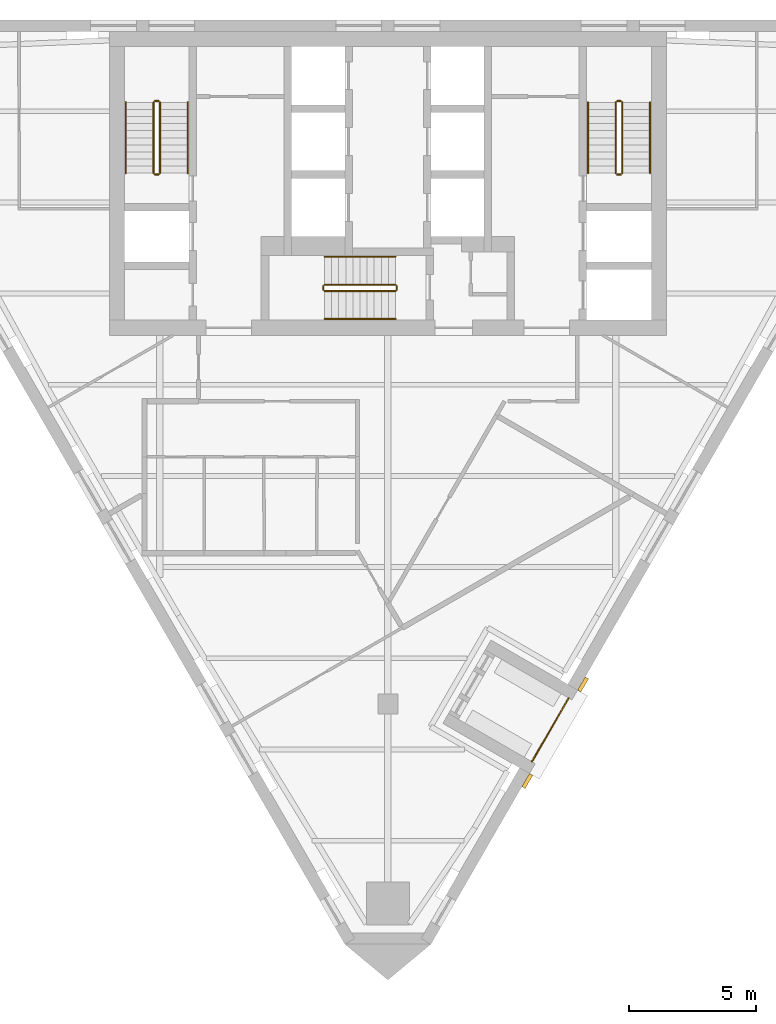
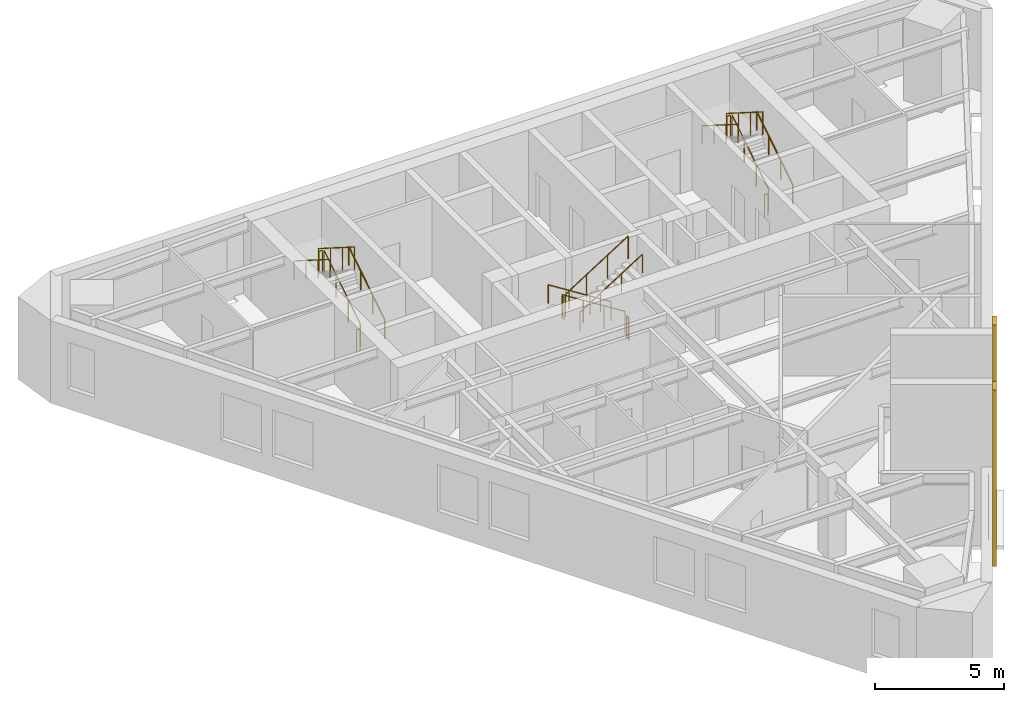
# One storey, part 7 of 7: 19 railings, 2 coverings.
"""IFC4 building model written with IfcOpenShell, lengths in metres."""

from ifc_helpers import new_model, si_unit, direction, frame, origin, origin_2d, place, context, subcontext, project, spatial, polyline, circle, outline, extrude, material, layer, layer_set, type_object, element, save


model = new_model("IFC4")

# Units and contexts
model_context = context("Model", 3, precision=1e-05, world=origin(), true_north=direction((0.0, 1.0)))
body_context = subcontext(model_context, "Body", "Model", "MODEL_VIEW")
ifc_project = project(units=[si_unit("LENGTHUNIT", "METRE"), si_unit("AREAUNIT", "SQUARE_METRE"), si_unit("VOLUMEUNIT", "CUBIC_METRE"), si_unit("PLANEANGLEUNIT", "RADIAN"), si_unit("MASSUNIT", "GRAM", prefix="KILO")], contexts=[model_context])

# Site, building, storey
site_placement = place(None, origin())
site = spatial("IfcSite", under=ifc_project, at=site_placement, CompositionType="ELEMENT")
building_placement = place(site_placement, origin())
building = spatial("IfcBuilding", under=site, at=building_placement, Name="Aloe Facet Convention Tower", CompositionType="ELEMENT")
storey_placement = place(building_placement, frame((0.0, 0.0, 215.300048828125)))
storey = spatial("IfcBuildingStorey", under=building, at=storey_placement, Name="L54", CompositionType="ELEMENT", Elevation=215.300048828125)

# Railings
ifc_material_1 = material(Name="Steel S355 balustrade", Category="steel")
railing_type_1 = type_object("IfcRailingType", Name="CR-RL-GUARD", PredefinedType="GUARDRAIL", material=ifc_material_1)
railing_1_placement = place(storey_placement, frame((71.0, 128.949951171875, 0.17724609375)))
element("IfcRailing", 1, at=railing_1_placement, inside=storey, type_object=railing_type_1, Name="L54 ST1 stair guard 1", PredefinedType="GUARDRAIL", context=body_context, shape_type="SweptSolid", body=[
    extrude(circle(Radius=0.02392578125, at=origin_2d()), frame((0.0, 0.0, 1.076171875), z_axis=(0.0, 0.844908973607, 0.534910110503), x_axis=(-1.0, 0.0, 0.0)), (0.0, 0.0, 1.0), 3.31396484375),
    extrude(circle(Radius=0.02099609375, at=origin_2d()), origin(), (0.0, 0.0, 1.0), 1.052001953125),
    extrude(circle(Radius=0.02099609375, at=origin_2d()), frame((0.0, 0.933349609375, 0.5908203125)), (0.0, 0.0, 1.0), 1.052001953125),
    extrude(circle(Radius=0.02099609375, at=origin_2d()), frame((0.0, 1.86669921875, 1.181884765625)), (0.0, 0.0, 1.0), 1.052001953125),
    extrude(circle(Radius=0.02099609375, at=origin_2d()), frame((0.0, 2.800048828125, 1.772705078125)), (0.0, 0.0, 1.0), 1.052001953125),
])
railing_2_placement = place(storey_placement, frame((70.949951171875, 131.800048828125, 1.949951171875)))
element("IfcRailing", 2, at=railing_2_placement, inside=storey, type_object=railing_type_1, Name="L54 ST1 stair guard 2", PredefinedType="GUARDRAIL", context=body_context, shape_type="SweptSolid", body=[
    extrude(circle(Radius=0.02392578125, at=origin_2d()), frame((0.0, 0.0, 1.076171875), z_axis=(-1.0, 0.0, 0.0), x_axis=(0.0, -1.0, 0.0)), (0.0, 0.0, 1.0), 0.14990234375),
    extrude(circle(Radius=0.02099609375, at=origin_2d()), origin(), (0.0, 0.0, 1.0), 1.052001953125),
    extrude(circle(Radius=0.02099609375, at=origin_2d()), frame((-0.14990234375, 0.0, 0.0)), (0.0, 0.0, 1.0), 1.052001953125),
])
railing_3_placement = place(storey_placement, frame((70.75, 131.75, 2.127197265625)))
element("IfcRailing", 3, at=railing_3_placement, inside=storey, type_object=railing_type_1, Name="L54 ST1 stair guard 3", PredefinedType="GUARDRAIL", context=body_context, shape_type="SweptSolid", body=[
    extrude(circle(Radius=0.02392578125, at=origin_2d()), frame((0.0, 0.0, 1.076171875), z_axis=(0.0, -0.844908973607, 0.534910110503), x_axis=(1.0, 0.0, 0.0)), (0.0, 0.0, 1.0), 3.31396484375),
    extrude(circle(Radius=0.02099609375, at=origin_2d()), origin(), (0.0, 0.0, 1.0), 1.052001953125),
    extrude(circle(Radius=0.02099609375, at=origin_2d()), frame((0.0, -0.933349609375, 0.5908203125)), (0.0, 0.0, 1.0), 1.052001953125),
    extrude(circle(Radius=0.02099609375, at=origin_2d()), frame((0.0, -1.86669921875, 1.181884765625)), (0.0, 0.0, 1.0), 1.052001953125),
    extrude(circle(Radius=0.02099609375, at=origin_2d()), frame((0.0, -2.800048828125, 1.772705078125)), (0.0, 0.0, 1.0), 1.052001953125),
])
railing_4_placement = place(storey_placement, frame((70.949951171875, 128.89990234375, 0.0)))
element("IfcRailing", 4, at=railing_4_placement, inside=storey, type_object=railing_type_1, Name="L54 ST1 stair guard 4", PredefinedType="GUARDRAIL", context=body_context, shape_type="SweptSolid", body=[
    extrude(circle(Radius=0.02392578125, at=origin_2d()), frame((0.0, 0.0, 1.076171875), z_axis=(-1.0, 0.0, 0.0), x_axis=(0.0, -1.0, 0.0)), (0.0, 0.0, 1.0), 0.14990234375),
    extrude(circle(Radius=0.02099609375, at=origin_2d()), origin(), (0.0, 0.0, 1.0), 1.052001953125),
    extrude(circle(Radius=0.02099609375, at=origin_2d()), frame((-0.14990234375, 0.0, 0.0)), (0.0, 0.0, 1.0), 1.052001953125),
])
railing_5_placement = place(storey_placement, frame((89.25, 128.949951171875, 0.17724609375)))
element("IfcRailing", 5, at=railing_5_placement, inside=storey, type_object=railing_type_1, Name="L54 ST2 stair guard 1", PredefinedType="GUARDRAIL", context=body_context, shape_type="SweptSolid", body=[
    extrude(circle(Radius=0.02392578125, at=origin_2d()), frame((0.0, 0.0, 1.076171875), z_axis=(0.0, 0.844908973607, 0.534910110503), x_axis=(-1.0, 0.0, 0.0)), (0.0, 0.0, 1.0), 3.31396484375),
    extrude(circle(Radius=0.02099609375, at=origin_2d()), origin(), (0.0, 0.0, 1.0), 1.052001953125),
    extrude(circle(Radius=0.02099609375, at=origin_2d()), frame((0.0, 0.933349609375, 0.5908203125)), (0.0, 0.0, 1.0), 1.052001953125),
    extrude(circle(Radius=0.02099609375, at=origin_2d()), frame((0.0, 1.86669921875, 1.181884765625)), (0.0, 0.0, 1.0), 1.052001953125),
    extrude(circle(Radius=0.02099609375, at=origin_2d()), frame((0.0, 2.800048828125, 1.772705078125)), (0.0, 0.0, 1.0), 1.052001953125),
])
railing_6_placement = place(storey_placement, frame((89.199951171875, 131.800048828125, 1.949951171875)))
element("IfcRailing", 6, at=railing_6_placement, inside=storey, type_object=railing_type_1, Name="L54 ST2 stair guard 2", PredefinedType="GUARDRAIL", context=body_context, shape_type="SweptSolid", body=[
    extrude(circle(Radius=0.02392578125, at=origin_2d()), frame((0.0, 0.0, 1.076171875), z_axis=(-1.0, 0.0, 0.0), x_axis=(0.0, -1.0, 0.0)), (0.0, 0.0, 1.0), 0.14990234375),
    extrude(circle(Radius=0.02099609375, at=origin_2d()), origin(), (0.0, 0.0, 1.0), 1.052001953125),
    extrude(circle(Radius=0.02099609375, at=origin_2d()), frame((-0.14990234375, 0.0, 0.0)), (0.0, 0.0, 1.0), 1.052001953125),
])
railing_7_placement = place(storey_placement, frame((89.0, 131.75, 2.127197265625)))
element("IfcRailing", 7, at=railing_7_placement, inside=storey, type_object=railing_type_1, Name="L54 ST2 stair guard 3", PredefinedType="GUARDRAIL", context=body_context, shape_type="SweptSolid", body=[
    extrude(circle(Radius=0.02392578125, at=origin_2d()), frame((0.0, 0.0, 1.076171875), z_axis=(0.0, -0.844908973607, 0.534910110503), x_axis=(1.0, 0.0, 0.0)), (0.0, 0.0, 1.0), 3.31396484375),
    extrude(circle(Radius=0.02099609375, at=origin_2d()), origin(), (0.0, 0.0, 1.0), 1.052001953125),
    extrude(circle(Radius=0.02099609375, at=origin_2d()), frame((0.0, -0.933349609375, 0.5908203125)), (0.0, 0.0, 1.0), 1.052001953125),
    extrude(circle(Radius=0.02099609375, at=origin_2d()), frame((0.0, -1.86669921875, 1.181884765625)), (0.0, 0.0, 1.0), 1.052001953125),
    extrude(circle(Radius=0.02099609375, at=origin_2d()), frame((0.0, -2.800048828125, 1.772705078125)), (0.0, 0.0, 1.0), 1.052001953125),
])
railing_8_placement = place(storey_placement, frame((89.199951171875, 128.89990234375, 0.0)))
element("IfcRailing", 8, at=railing_8_placement, inside=storey, type_object=railing_type_1, Name="L54 ST2 stair guard 4", PredefinedType="GUARDRAIL", context=body_context, shape_type="SweptSolid", body=[
    extrude(circle(Radius=0.02392578125, at=origin_2d()), frame((0.0, 0.0, 1.076171875), z_axis=(-1.0, 0.0, 0.0), x_axis=(0.0, -1.0, 0.0)), (0.0, 0.0, 1.0), 0.14990234375),
    extrude(circle(Radius=0.02099609375, at=origin_2d()), origin(), (0.0, 0.0, 1.0), 1.052001953125),
    extrude(circle(Radius=0.02099609375, at=origin_2d()), frame((-0.14990234375, 0.0, 0.0)), (0.0, 0.0, 1.0), 1.052001953125),
])
railing_9_placement = place(storey_placement, frame((80.300048828125, 124.550048828125, 0.17724609375)))
element("IfcRailing", 9, at=railing_9_placement, inside=storey, type_object=railing_type_1, Name="L54 ST3 stair guard 1", PredefinedType="GUARDRAIL", context=body_context, shape_type="SweptSolid", body=[
    extrude(circle(Radius=0.02392578125, at=origin_2d()), frame((0.0, 0.0, 1.076171875), z_axis=(-0.844908973607, 0.0, 0.534910110503), x_axis=(0.0, -1.0, 0.0)), (0.0, 0.0, 1.0), 3.31396484375),
    extrude(circle(Radius=0.02099609375, at=origin_2d()), origin(), (0.0, 0.0, 1.0), 1.052001953125),
    extrude(circle(Radius=0.02099609375, at=origin_2d()), frame((-0.933349609375, 0.0, 0.5908203125)), (0.0, 0.0, 1.0), 1.052001953125),
    extrude(circle(Radius=0.02099609375, at=origin_2d()), frame((-1.86669921875, 0.0, 1.181884765625)), (0.0, 0.0, 1.0), 1.052001953125),
    extrude(circle(Radius=0.02099609375, at=origin_2d()), frame((-2.800048828125, 0.0, 1.772705078125)), (0.0, 0.0, 1.0), 1.052001953125),
])
railing_10_placement = place(storey_placement, frame((77.449951171875, 124.5, 1.949951171875)))
element("IfcRailing", 10, at=railing_10_placement, inside=storey, type_object=railing_type_1, Name="L54 ST3 stair guard 2", PredefinedType="GUARDRAIL", context=body_context, shape_type="SweptSolid", body=[
    extrude(circle(Radius=0.02392578125, at=origin_2d()), frame((0.0, 0.0, 1.076171875), z_axis=(0.0, -1.0, 0.0), x_axis=(1.0, 0.0, 0.0)), (0.0, 0.0, 1.0), 0.14990234375),
    extrude(circle(Radius=0.02099609375, at=origin_2d()), origin(), (0.0, 0.0, 1.0), 1.052001953125),
    extrude(circle(Radius=0.02099609375, at=origin_2d()), frame((0.0, -0.14990234375, 0.0)), (0.0, 0.0, 1.0), 1.052001953125),
])
railing_11_placement = place(storey_placement, frame((77.5, 124.300048828125, 2.127197265625)))
element("IfcRailing", 11, at=railing_11_placement, inside=storey, type_object=railing_type_1, Name="L54 ST3 stair guard 3", PredefinedType="GUARDRAIL", context=body_context, shape_type="SweptSolid", body=[
    extrude(circle(Radius=0.02392578125, at=origin_2d()), frame((0.0, 0.0, 1.076171875), z_axis=(0.844908973607, 0.0, 0.534910110503), x_axis=(0.0, 1.0, 0.0)), (0.0, 0.0, 1.0), 3.31396484375),
    extrude(circle(Radius=0.02099609375, at=origin_2d()), origin(), (0.0, 0.0, 1.0), 1.052001953125),
    extrude(circle(Radius=0.02099609375, at=origin_2d()), frame((0.933349609375, 0.0, 0.5908203125)), (0.0, 0.0, 1.0), 1.052001953125),
    extrude(circle(Radius=0.02099609375, at=origin_2d()), frame((1.86669921875, 0.0, 1.181884765625)), (0.0, 0.0, 1.0), 1.052001953125),
    extrude(circle(Radius=0.02099609375, at=origin_2d()), frame((2.800048828125, 0.0, 1.772705078125)), (0.0, 0.0, 1.0), 1.052001953125),
])
railing_12_placement = place(storey_placement, frame((80.35009765625, 124.5, 0.0)))
element("IfcRailing", 12, at=railing_12_placement, inside=storey, type_object=railing_type_1, Name="L54 ST3 stair guard 4", PredefinedType="GUARDRAIL", context=body_context, shape_type="SweptSolid", body=[
    extrude(circle(Radius=0.02392578125, at=origin_2d()), frame((0.0, 0.0, 1.076171875), z_axis=(0.0, -1.0, 0.0), x_axis=(1.0, 0.0, 0.0)), (0.0, 0.0, 1.0), 0.14990234375),
    extrude(circle(Radius=0.02099609375, at=origin_2d()), origin(), (0.0, 0.0, 1.0), 1.052001953125),
    extrude(circle(Radius=0.02099609375, at=origin_2d()), frame((0.0, -0.14990234375, 0.0)), (0.0, 0.0, 1.0), 1.052001953125),
])
ifc_material_2 = material(Name="Steel S355 handrail", Category="steel")
railing_type_2 = type_object("IfcRailingType", Name="CR-RL-HAND", PredefinedType="HANDRAIL", material=ifc_material_2)
railing_13_placement = place(storey_placement, frame((72.10009765625, 128.949951171875, 0.17724609375)))
element("IfcRailing", 13, at=railing_13_placement, inside=storey, type_object=railing_type_2, Name="L54 ST1 stair handrail 1", PredefinedType="HANDRAIL", context=body_context, shape_type="SweptSolid", body=[
    extrude(circle(Radius=0.02392578125, at=origin_2d()), frame((0.0, 0.0, 0.8759765625), z_axis=(0.0, 0.844908973607, 0.534910110503), x_axis=(-1.0, 0.0, 0.0)), (0.0, 0.0, 1.0), 3.31396484375),
    extrude(circle(Radius=0.02099609375, at=origin_2d()), origin(), (0.0, 0.0, 1.0), 0.851806640625),
    extrude(circle(Radius=0.02099609375, at=origin_2d()), frame((0.0, 0.933349609375, 0.5908203125)), (0.0, 0.0, 1.0), 0.851806640625),
    extrude(circle(Radius=0.02099609375, at=origin_2d()), frame((0.0, 1.86669921875, 1.181884765625)), (0.0, 0.0, 1.0), 0.851806640625),
    extrude(circle(Radius=0.02099609375, at=origin_2d()), frame((0.0, 2.800048828125, 1.772705078125)), (0.0, 0.0, 1.0), 0.851806640625),
])
railing_14_placement = place(storey_placement, frame((69.64990234375, 131.75, 2.127197265625)))
element("IfcRailing", 14, at=railing_14_placement, inside=storey, type_object=railing_type_2, Name="L54 ST1 stair handrail 2", PredefinedType="HANDRAIL", context=body_context, shape_type="SweptSolid", body=[
    extrude(circle(Radius=0.02392578125, at=origin_2d()), frame((0.0, 0.0, 0.8759765625), z_axis=(0.0, -0.844908973607, 0.534910110503), x_axis=(1.0, 0.0, 0.0)), (0.0, 0.0, 1.0), 3.31396484375),
    extrude(circle(Radius=0.02099609375, at=origin_2d()), origin(), (0.0, 0.0, 1.0), 0.851806640625),
    extrude(circle(Radius=0.02099609375, at=origin_2d()), frame((0.0, -0.933349609375, 0.5908203125)), (0.0, 0.0, 1.0), 0.851806640625),
    extrude(circle(Radius=0.02099609375, at=origin_2d()), frame((0.0, -1.86669921875, 1.181884765625)), (0.0, 0.0, 1.0), 0.851806640625),
    extrude(circle(Radius=0.02099609375, at=origin_2d()), frame((0.0, -2.800048828125, 1.772705078125)), (0.0, 0.0, 1.0), 0.851806640625),
])
railing_15_placement = place(storey_placement, frame((90.35009765625, 128.949951171875, 0.17724609375)))
element("IfcRailing", 15, at=railing_15_placement, inside=storey, type_object=railing_type_2, Name="L54 ST2 stair handrail 1", PredefinedType="HANDRAIL", context=body_context, shape_type="SweptSolid", body=[
    extrude(circle(Radius=0.02392578125, at=origin_2d()), frame((0.0, 0.0, 0.8759765625), z_axis=(0.0, 0.844908973607, 0.534910110503), x_axis=(-1.0, 0.0, 0.0)), (0.0, 0.0, 1.0), 3.31396484375),
    extrude(circle(Radius=0.02099609375, at=origin_2d()), origin(), (0.0, 0.0, 1.0), 0.851806640625),
    extrude(circle(Radius=0.02099609375, at=origin_2d()), frame((0.0, 0.933349609375, 0.5908203125)), (0.0, 0.0, 1.0), 0.851806640625),
    extrude(circle(Radius=0.02099609375, at=origin_2d()), frame((0.0, 1.86669921875, 1.181884765625)), (0.0, 0.0, 1.0), 0.851806640625),
    extrude(circle(Radius=0.02099609375, at=origin_2d()), frame((0.0, 2.800048828125, 1.772705078125)), (0.0, 0.0, 1.0), 0.851806640625),
])
railing_16_placement = place(storey_placement, frame((87.89990234375, 131.75, 2.127197265625)))
element("IfcRailing", 16, at=railing_16_placement, inside=storey, type_object=railing_type_2, Name="L54 ST2 stair handrail 2", PredefinedType="HANDRAIL", context=body_context, shape_type="SweptSolid", body=[
    extrude(circle(Radius=0.02392578125, at=origin_2d()), frame((0.0, 0.0, 0.8759765625), z_axis=(0.0, -0.844908973607, 0.534910110503), x_axis=(1.0, 0.0, 0.0)), (0.0, 0.0, 1.0), 3.31396484375),
    extrude(circle(Radius=0.02099609375, at=origin_2d()), origin(), (0.0, 0.0, 1.0), 0.851806640625),
    extrude(circle(Radius=0.02099609375, at=origin_2d()), frame((0.0, -0.933349609375, 0.5908203125)), (0.0, 0.0, 1.0), 0.851806640625),
    extrude(circle(Radius=0.02099609375, at=origin_2d()), frame((0.0, -1.86669921875, 1.181884765625)), (0.0, 0.0, 1.0), 0.851806640625),
    extrude(circle(Radius=0.02099609375, at=origin_2d()), frame((0.0, -2.800048828125, 1.772705078125)), (0.0, 0.0, 1.0), 0.851806640625),
])
railing_17_placement = place(storey_placement, frame((80.300048828125, 125.64990234375, 0.17724609375)))
element("IfcRailing", 17, at=railing_17_placement, inside=storey, type_object=railing_type_2, Name="L54 ST3 stair handrail 1", PredefinedType="HANDRAIL", context=body_context, shape_type="SweptSolid", body=[
    extrude(circle(Radius=0.02392578125, at=origin_2d()), frame((0.0, 0.0, 0.8759765625), z_axis=(-0.844908973607, 0.0, 0.534910110503), x_axis=(0.0, -1.0, 0.0)), (0.0, 0.0, 1.0), 3.31396484375),
    extrude(circle(Radius=0.02099609375, at=origin_2d()), origin(), (0.0, 0.0, 1.0), 0.851806640625),
    extrude(circle(Radius=0.02099609375, at=origin_2d()), frame((-0.933349609375, 0.0, 0.5908203125)), (0.0, 0.0, 1.0), 0.851806640625),
    extrude(circle(Radius=0.02099609375, at=origin_2d()), frame((-1.86669921875, 0.0, 1.181884765625)), (0.0, 0.0, 1.0), 0.851806640625),
    extrude(circle(Radius=0.02099609375, at=origin_2d()), frame((-2.800048828125, 0.0, 1.772705078125)), (0.0, 0.0, 1.0), 0.851806640625),
])
railing_18_placement = place(storey_placement, frame((77.5, 123.199951171875, 2.127197265625)))
element("IfcRailing", 18, at=railing_18_placement, inside=storey, type_object=railing_type_2, Name="L54 ST3 stair handrail 2", PredefinedType="HANDRAIL", context=body_context, shape_type="SweptSolid", body=[
    extrude(circle(Radius=0.02392578125, at=origin_2d()), frame((0.0, 0.0, 0.8759765625), z_axis=(0.844908973607, 0.0, 0.534910110503), x_axis=(0.0, 1.0, 0.0)), (0.0, 0.0, 1.0), 3.31396484375),
    extrude(circle(Radius=0.02099609375, at=origin_2d()), origin(), (0.0, 0.0, 1.0), 0.851806640625),
    extrude(circle(Radius=0.02099609375, at=origin_2d()), frame((0.933349609375, 0.0, 0.5908203125)), (0.0, 0.0, 1.0), 0.851806640625),
    extrude(circle(Radius=0.02099609375, at=origin_2d()), frame((1.86669921875, 0.0, 1.181884765625)), (0.0, 0.0, 1.0), 0.851806640625),
    extrude(circle(Radius=0.02099609375, at=origin_2d()), frame((2.800048828125, 0.0, 1.772705078125)), (0.0, 0.0, 1.0), 0.851806640625),
])

# Coverings
ifc_material_3 = material(Name="Bronze oxide fascia sheet")
ifc_layer = layer(ifc_material_3, 0.14990234375)
ifc_layer_set = layer_set([ifc_layer], Name="EV-FASCIA-TERR")
covering_type = type_object("IfcCoveringType", Name="EV-FASCIA-TERR", PredefinedType="CLADDING", material=ifc_layer_set)
covering_1_placement = place(storey_placement, frame((0.0, 0.0, -0.550048828125)))
element("IfcCovering", 19, at=covering_1_placement, inside=storey, type_object=covering_type, Name="Terrace frame T12 1", PredefinedType="CLADDING", context=body_context, shape_type="SweptSolid", body=[
    extrude(outline(polyline([(85.421142578125, 104.66015625), (85.720947265625, 105.1796875), (85.591064453125, 105.254638671875), (85.291259765625, 104.735107421875), (85.421142578125, 104.66015625)])), origin(), (0.0, 0.0, 1.0), 8.35009765625),
])
covering_2_placement = place(storey_placement, frame((0.0, 0.0, -0.550048828125)))
element("IfcCovering", 20, at=covering_2_placement, inside=storey, type_object=covering_type, Name="Terrace frame T12 2", PredefinedType="CLADDING", context=body_context, shape_type="SweptSolid", body=[
    extrude(outline(polyline([(87.62109375, 108.470703125), (87.921142578125, 108.990234375), (87.791259765625, 109.065185546875), (87.4912109375, 108.545654296875), (87.62109375, 108.470703125)])), origin(), (0.0, 0.0, 1.0), 8.35009765625),
])

# Railing
ifc_material_4 = material(Name="Steel S355, bronze oxide finish", Category="steel")
railing_type_3 = type_object("IfcRailingType", Name="EV-GUARD-TERR", PredefinedType="GUARDRAIL", material=ifc_material_4)
railing_19_placement = place(storey_placement, frame((85.686279296875, 105.719482421875, 0.0)))
element("IfcRailing", 21, at=railing_19_placement, inside=storey, type_object=railing_type_3, Name="GUARD T12", PredefinedType="GUARDRAIL", context=body_context, shape_type="SweptSolid", body=[
    extrude(circle(Radius=0.02392578125, at=origin_2d()), frame((0.0, 0.0, 1.076171875), z_axis=(0.499987231761, 0.866032775405, 0.0), x_axis=(-0.866032775405, 0.499987231761, 0.0)), (0.0, 0.0, 1.0), 2.89990234375),
    extrude(circle(Radius=0.02099609375, at=origin_2d()), origin(), (0.0, 0.0, 1.0), 1.052001953125),
    extrude(circle(Radius=0.02099609375, at=origin_2d()), frame((0.4833984375, 0.837158203125, 0.0)), (0.0, 0.0, 1.0), 1.052001953125),
    extrude(circle(Radius=0.02099609375, at=origin_2d()), frame((0.966552734375, 1.67431640625, 0.0)), (0.0, 0.0, 1.0), 1.052001953125),
    extrude(circle(Radius=0.02099609375, at=origin_2d()), frame((1.449951171875, 2.511474609375, 0.0)), (0.0, 0.0, 1.0), 1.052001953125),
])

save(model, "model.ifc")
